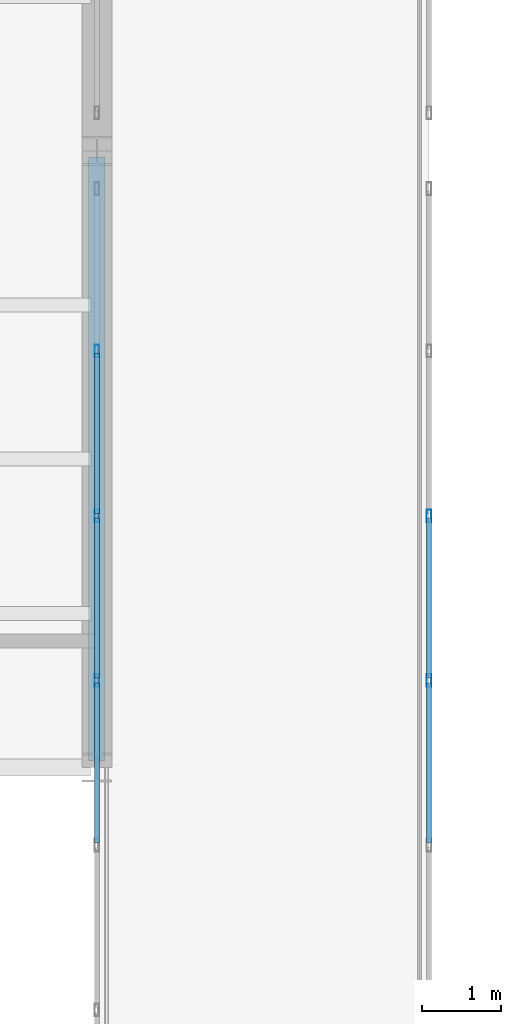
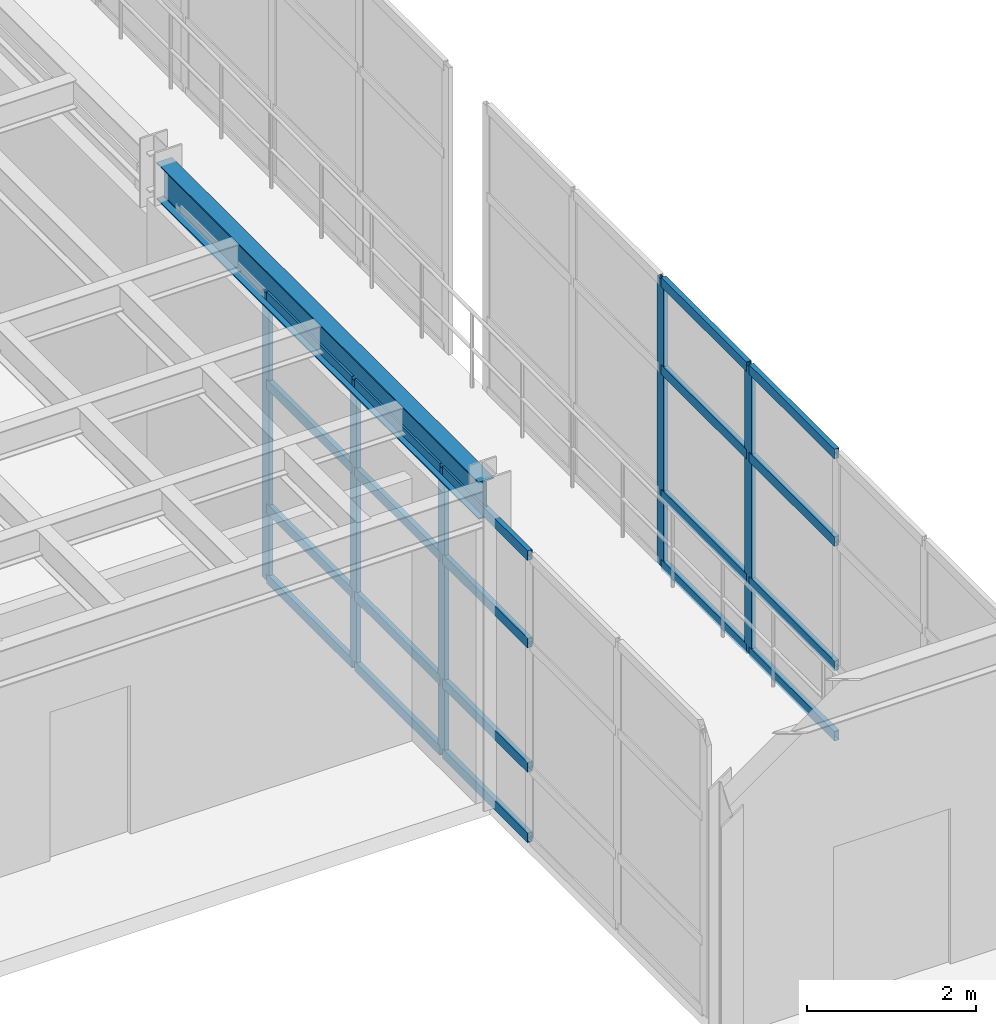
# One storey, part 44 of 116: 25 members, 1 beam, 2 elements without a shape of their own.
"""IFC4 building model written with IfcOpenShell, lengths in metres."""

from ifc_helpers import new_model, si_unit, direction, frame, origin, origin_2d, place, context, subcontext, project, spatial, hollow_rectangle, i_section, extrude, material, layer, layer_set, material_profile, profile_set, type_object, element, aggregate, save


model = new_model("IFC4")

# Units and contexts
model_context = context("Model", 3, precision=1e-05, world=origin(), true_north=direction((0.0, 1.0)))
body_context = subcontext(model_context, "Body", "Model", "MODEL_VIEW")
ifc_project = project(units=[si_unit("LENGTHUNIT", "METRE"), si_unit("AREAUNIT", "SQUARE_METRE"), si_unit("VOLUMEUNIT", "CUBIC_METRE"), si_unit("PLANEANGLEUNIT", "RADIAN"), si_unit("MASSUNIT", "GRAM", prefix="KILO")], contexts=[model_context])

# Site, building, storey
site_placement = place(None, origin())
site = spatial("IfcSite", under=ifc_project, at=site_placement, CompositionType="ELEMENT")
building_placement = place(site_placement, origin())
building = spatial("IfcBuilding", under=site, at=building_placement, Name="Selat Folded Stagehouse", CompositionType="ELEMENT")
storey_placement = place(building_placement, frame((0.0, 0.0, 5.39990234375)))
storey = spatial("IfcBuildingStorey", under=building, at=storey_placement, Name="L01", CompositionType="ELEMENT", Elevation=5.39990234375)

# Beam
ifc_material_1 = material(Name="Steel S355", Category="steel")
ifc_material_profile_1 = material_profile(ifc_material_1, i_section(OverallWidth=0.210693359375, OverallDepth=0.53955078125, WebThickness=0.01171875, FlangeThickness=0.018798828125, FilletRadius=0.0126953125, at=origin_2d()), Name="UKB 533x210x109")
ifc_profile_set_1 = profile_set([ifc_material_profile_1], Name="Steel S355")
beam_type = type_object("IfcBeamType", Name="BM-GIRD-533x210x109", PredefinedType="BEAM", material=ifc_profile_set_1)
beam_placement = place(storey_placement, frame((67.199951171875, 23.47998046875, 4.310302734375), z_axis=(0.0, 1.0, 0.0), x_axis=(-1.0, 0.0, 0.0)))
element("IfcBeam", 1, at=beam_placement, inside=storey, type_object=beam_type, Name="L01 primary y-girder 0824", PredefinedType="BEAM", context=body_context, shape_type="SweptSolid", body=[
    extrude(i_section(OverallWidth=0.210693359375, OverallDepth=0.53955078125, WebThickness=0.01171875, FlangeThickness=0.018798828125, FilletRadius=0.0126953125, at=origin_2d()), origin(), (0.0, 0.0, 1.0), 7.64013671875),
])

# Curtain wall, members
ifc_material_2 = material(Name="Aluminium 6063-T6", Category="aluminium")
ifc_layer = layer(ifc_material_2, 0.175048828125)
ifc_layer_set = layer_set([ifc_layer], Name="Aluminium 6063-T6")
curtain_wall_type = type_object("IfcCurtainWallType", Name="CW-BRG-GLAZ", PredefinedType="NOTDEFINED", material=ifc_layer_set)
curtain_wall_1_placement = place(storey_placement, origin())
curtain_wall_1 = element("IfcCurtainWall", 2, at=curtain_wall_1_placement, inside=storey, type_object=curtain_wall_type, Name="L01 curtain wall CW-BRG-01", PredefinedType="NOTDEFINED")
ifc_material_profile_2 = material_profile(ifc_material_2, hollow_rectangle(XDim=0.06005859375, YDim=0.159912109375, WallThickness=0.00390625, at=origin_2d()), Name="ALU 160x60x4.0")
ifc_profile_set_2 = profile_set([ifc_material_profile_2], Name="Aluminium 6063-T6")
member_type_1 = type_object("IfcMemberType", Name="CWM-MUL-160x60", PredefinedType="MULLION", material=ifc_profile_set_2)
member_1_placement = place(storey_placement, frame((67.199951171875, 24.5, 0.0), z_axis=(0.0, 0.0, 1.0), x_axis=(-1.0, 0.0, 0.0)))
member_1 = element("IfcMember", 3, at=member_1_placement, type_object=member_type_1, Name="CW-07 mullion 4", PredefinedType="MULLION", context=body_context, shape_type="SweptSolid", body=[
    extrude(hollow_rectangle(XDim=0.06005859375, YDim=0.159912109375, WallThickness=0.00390625, at=origin_2d()), origin(), (0.0, 0.0, 1.0), 4.150146484375),
])
member_2_placement = place(storey_placement, frame((67.199951171875, 26.583251953125, 0.0), z_axis=(0.0, 0.0, 1.0), x_axis=(-1.0, 0.0, 0.0)))
member_2 = element("IfcMember", 4, at=member_2_placement, type_object=member_type_1, Name="CW-07 mullion 5", PredefinedType="MULLION", context=body_context, shape_type="SweptSolid", body=[
    extrude(hollow_rectangle(XDim=0.06005859375, YDim=0.159912109375, WallThickness=0.00390625, at=origin_2d()), origin(), (0.0, 0.0, 1.0), 4.150146484375),
])
member_3_placement = place(storey_placement, frame((67.199951171875, 28.666748046875, 0.0), z_axis=(0.0, 0.0, 1.0), x_axis=(-1.0, 0.0, 0.0)))
member_3 = element("IfcMember", 5, at=member_3_placement, type_object=member_type_1, Name="CW-07 mullion 6", PredefinedType="MULLION", context=body_context, shape_type="SweptSolid", body=[
    extrude(hollow_rectangle(XDim=0.06005859375, YDim=0.159912109375, WallThickness=0.00390625, at=origin_2d()), origin(), (0.0, 0.0, 1.0), 4.150146484375),
])

curtain_wall_2_placement = place(storey_placement, origin())
curtain_wall_2 = element("IfcCurtainWall", 6, at=curtain_wall_2_placement, inside=storey, type_object=curtain_wall_type, Name="L01 curtain wall CW-BRG-06", PredefinedType="NOTDEFINED")
member_4_placement = place(storey_placement, frame((71.39990234375, 26.583251953125, 0.0), z_axis=(0.0, 0.0, 1.0), x_axis=(1.0, 0.0, 0.0)))
member_4 = element("IfcMember", 7, at=member_4_placement, type_object=member_type_1, Name="CW-07 mullion 3", PredefinedType="MULLION", context=body_context, shape_type="SweptSolid", body=[
    extrude(hollow_rectangle(XDim=0.06005859375, YDim=0.159912109375, WallThickness=0.00390625, at=origin_2d()), origin(), (0.0, 0.0, 1.0), 4.150146484375),
])
member_5_placement = place(storey_placement, frame((71.39990234375, 24.5, 0.0), z_axis=(0.0, 0.0, 1.0), x_axis=(1.0, 0.0, 0.0)))
member_5 = element("IfcMember", 8, at=member_5_placement, type_object=member_type_1, Name="CW-07 mullion 4", PredefinedType="MULLION", context=body_context, shape_type="SweptSolid", body=[
    extrude(hollow_rectangle(XDim=0.06005859375, YDim=0.159912109375, WallThickness=0.00390625, at=origin_2d()), origin(), (0.0, 0.0, 1.0), 4.150146484375),
])

# Member
ifc_material_profile_3 = material_profile(ifc_material_2, hollow_rectangle(XDim=0.06494140625, YDim=0.139892578125, WallThickness=0.00390625, at=origin_2d()), Name="ALU 140x65x4.0")
ifc_profile_set_3 = profile_set([ifc_material_profile_3], Name="Aluminium 6063-T6")
member_type_2 = type_object("IfcMemberType", Name="CWM-TRN-140x65", PredefinedType="USERDEFINED", material=ifc_profile_set_3)
member_6_placement = place(storey_placement, frame((67.199951171875, 22.44677734375, 0.03271484375), z_axis=(0.0, 1.0, 0.0), x_axis=(-1.0, 0.0, 0.0)))
member_6 = element("IfcMember", 9, at=member_6_placement, type_object=member_type_2, Name="CW-07 transom 3.1", ObjectType="TRANSOM", PredefinedType="USERDEFINED", context=body_context, shape_type="SweptSolid", body=[
    extrude(hollow_rectangle(XDim=0.06494140625, YDim=0.139892578125, WallThickness=0.00390625, at=origin_2d()), origin(), (0.0, 0.0, 1.0), 2.023193359375),
])

member_7_placement = place(storey_placement, frame((67.199951171875, 22.44677734375, 1.050048828125), z_axis=(0.0, 1.0, 0.0), x_axis=(-1.0, 0.0, 0.0)))
member_7 = element("IfcMember", 10, at=member_7_placement, type_object=member_type_2, Name="CW-07 transom 3.2", ObjectType="TRANSOM", PredefinedType="USERDEFINED", context=body_context, shape_type="SweptSolid", body=[
    extrude(hollow_rectangle(XDim=0.06494140625, YDim=0.139892578125, WallThickness=0.00390625, at=origin_2d()), origin(), (0.0, 0.0, 1.0), 2.023193359375),
])

member_8_placement = place(storey_placement, frame((67.199951171875, 22.44677734375, 2.85009765625), z_axis=(0.0, 1.0, 0.0), x_axis=(-1.0, 0.0, 0.0)))
member_8 = element("IfcMember", 11, at=member_8_placement, type_object=member_type_2, Name="CW-07 transom 3.3", ObjectType="TRANSOM", PredefinedType="USERDEFINED", context=body_context, shape_type="SweptSolid", body=[
    extrude(hollow_rectangle(XDim=0.06494140625, YDim=0.139892578125, WallThickness=0.00390625, at=origin_2d()), origin(), (0.0, 0.0, 1.0), 2.023193359375),
])

member_9_placement = place(storey_placement, frame((67.199951171875, 22.44677734375, 4.11767578125), z_axis=(0.0, 1.0, 0.0), x_axis=(-1.0, 0.0, 0.0)))
member_9 = element("IfcMember", 12, at=member_9_placement, type_object=member_type_2, Name="CW-07 transom 3.4", ObjectType="TRANSOM", PredefinedType="USERDEFINED", context=body_context, shape_type="SweptSolid", body=[
    extrude(hollow_rectangle(XDim=0.06494140625, YDim=0.139892578125, WallThickness=0.00390625, at=origin_2d()), origin(), (0.0, 0.0, 1.0), 2.023193359375),
])

member_10_placement = place(storey_placement, frame((67.199951171875, 24.530029296875, 0.03271484375), z_axis=(0.0, 1.0, 0.0), x_axis=(-1.0, 0.0, 0.0)))
member_10 = element("IfcMember", 13, at=member_10_placement, type_object=member_type_2, Name="CW-07 transom 4.1", ObjectType="TRANSOM", PredefinedType="USERDEFINED", context=body_context, shape_type="SweptSolid", body=[
    extrude(hollow_rectangle(XDim=0.06494140625, YDim=0.139892578125, WallThickness=0.00390625, at=origin_2d()), origin(), (0.0, 0.0, 1.0), 2.023193359375),
])

member_11_placement = place(storey_placement, frame((67.199951171875, 24.530029296875, 1.050048828125), z_axis=(0.0, 1.0, 0.0), x_axis=(-1.0, 0.0, 0.0)))
member_11 = element("IfcMember", 14, at=member_11_placement, type_object=member_type_2, Name="CW-07 transom 4.2", ObjectType="TRANSOM", PredefinedType="USERDEFINED", context=body_context, shape_type="SweptSolid", body=[
    extrude(hollow_rectangle(XDim=0.06494140625, YDim=0.139892578125, WallThickness=0.00390625, at=origin_2d()), origin(), (0.0, 0.0, 1.0), 2.023193359375),
])

member_12_placement = place(storey_placement, frame((67.199951171875, 24.530029296875, 2.85009765625), z_axis=(0.0, 1.0, 0.0), x_axis=(-1.0, 0.0, 0.0)))
member_12 = element("IfcMember", 15, at=member_12_placement, type_object=member_type_2, Name="CW-07 transom 4.3", ObjectType="TRANSOM", PredefinedType="USERDEFINED", context=body_context, shape_type="SweptSolid", body=[
    extrude(hollow_rectangle(XDim=0.06494140625, YDim=0.139892578125, WallThickness=0.00390625, at=origin_2d()), origin(), (0.0, 0.0, 1.0), 2.023193359375),
])

member_13_placement = place(storey_placement, frame((67.199951171875, 24.530029296875, 4.11767578125), z_axis=(0.0, 1.0, 0.0), x_axis=(-1.0, 0.0, 0.0)))
member_13 = element("IfcMember", 16, at=member_13_placement, type_object=member_type_2, Name="CW-07 transom 4.4", ObjectType="TRANSOM", PredefinedType="USERDEFINED", context=body_context, shape_type="SweptSolid", body=[
    extrude(hollow_rectangle(XDim=0.06494140625, YDim=0.139892578125, WallThickness=0.00390625, at=origin_2d()), origin(), (0.0, 0.0, 1.0), 2.023193359375),
])

member_14_placement = place(storey_placement, frame((67.199951171875, 26.61328125, 0.03271484375), z_axis=(0.0, 1.0, 0.0), x_axis=(-1.0, 0.0, 0.0)))
member_14 = element("IfcMember", 17, at=member_14_placement, type_object=member_type_2, Name="CW-07 transom 5.1", ObjectType="TRANSOM", PredefinedType="USERDEFINED", context=body_context, shape_type="SweptSolid", body=[
    extrude(hollow_rectangle(XDim=0.06494140625, YDim=0.139892578125, WallThickness=0.00390625, at=origin_2d()), origin(), (0.0, 0.0, 1.0), 2.0234375),
])

member_15_placement = place(storey_placement, frame((67.199951171875, 26.61328125, 1.050048828125), z_axis=(0.0, 1.0, 0.0), x_axis=(-1.0, 0.0, 0.0)))
member_15 = element("IfcMember", 18, at=member_15_placement, type_object=member_type_2, Name="CW-07 transom 5.2", ObjectType="TRANSOM", PredefinedType="USERDEFINED", context=body_context, shape_type="SweptSolid", body=[
    extrude(hollow_rectangle(XDim=0.06494140625, YDim=0.139892578125, WallThickness=0.00390625, at=origin_2d()), origin(), (0.0, 0.0, 1.0), 2.0234375),
])

member_16_placement = place(storey_placement, frame((67.199951171875, 26.61328125, 2.85009765625), z_axis=(0.0, 1.0, 0.0), x_axis=(-1.0, 0.0, 0.0)))
member_16 = element("IfcMember", 19, at=member_16_placement, type_object=member_type_2, Name="CW-07 transom 5.3", ObjectType="TRANSOM", PredefinedType="USERDEFINED", context=body_context, shape_type="SweptSolid", body=[
    extrude(hollow_rectangle(XDim=0.06494140625, YDim=0.139892578125, WallThickness=0.00390625, at=origin_2d()), origin(), (0.0, 0.0, 1.0), 2.0234375),
])

member_17_placement = place(storey_placement, frame((67.199951171875, 26.61328125, 4.11767578125), z_axis=(0.0, 1.0, 0.0), x_axis=(-1.0, 0.0, 0.0)))
member_17 = element("IfcMember", 20, at=member_17_placement, type_object=member_type_2, Name="CW-07 transom 5.4", ObjectType="TRANSOM", PredefinedType="USERDEFINED", context=body_context, shape_type="SweptSolid", body=[
    extrude(hollow_rectangle(XDim=0.06494140625, YDim=0.139892578125, WallThickness=0.00390625, at=origin_2d()), origin(), (0.0, 0.0, 1.0), 2.0234375),
])

aggregate(curtain_wall_1, [member_1, member_2, member_3, member_6, member_7, member_8, member_9, member_10, member_11, member_12, member_13, member_14, member_15, member_16, member_17])

member_18_placement = place(storey_placement, frame((71.39990234375, 26.55322265625, 0.03271484375), z_axis=(0.0, -1.0, 0.0), x_axis=(1.0, 0.0, 0.0)))
member_18 = element("IfcMember", 21, at=member_18_placement, type_object=member_type_2, Name="CW-07 transom 3.1", ObjectType="TRANSOM", PredefinedType="USERDEFINED", context=body_context, shape_type="SweptSolid", body=[
    extrude(hollow_rectangle(XDim=0.06494140625, YDim=0.139892578125, WallThickness=0.00390625, at=origin_2d()), origin(), (0.0, 0.0, 1.0), 2.023193359375),
])

member_19_placement = place(storey_placement, frame((71.39990234375, 26.55322265625, 1.050048828125), z_axis=(0.0, -1.0, 0.0), x_axis=(1.0, 0.0, 0.0)))
member_19 = element("IfcMember", 22, at=member_19_placement, type_object=member_type_2, Name="CW-07 transom 3.2", ObjectType="TRANSOM", PredefinedType="USERDEFINED", context=body_context, shape_type="SweptSolid", body=[
    extrude(hollow_rectangle(XDim=0.06494140625, YDim=0.139892578125, WallThickness=0.00390625, at=origin_2d()), origin(), (0.0, 0.0, 1.0), 2.023193359375),
])

member_20_placement = place(storey_placement, frame((71.39990234375, 26.55322265625, 2.85009765625), z_axis=(0.0, -1.0, 0.0), x_axis=(1.0, 0.0, 0.0)))
member_20 = element("IfcMember", 23, at=member_20_placement, type_object=member_type_2, Name="CW-07 transom 3.3", ObjectType="TRANSOM", PredefinedType="USERDEFINED", context=body_context, shape_type="SweptSolid", body=[
    extrude(hollow_rectangle(XDim=0.06494140625, YDim=0.139892578125, WallThickness=0.00390625, at=origin_2d()), origin(), (0.0, 0.0, 1.0), 2.023193359375),
])

member_21_placement = place(storey_placement, frame((71.39990234375, 26.55322265625, 4.11767578125), z_axis=(0.0, -1.0, 0.0), x_axis=(1.0, 0.0, 0.0)))
member_21 = element("IfcMember", 24, at=member_21_placement, type_object=member_type_2, Name="CW-07 transom 3.4", ObjectType="TRANSOM", PredefinedType="USERDEFINED", context=body_context, shape_type="SweptSolid", body=[
    extrude(hollow_rectangle(XDim=0.06494140625, YDim=0.139892578125, WallThickness=0.00390625, at=origin_2d()), origin(), (0.0, 0.0, 1.0), 2.023193359375),
])

member_22_placement = place(storey_placement, frame((71.39990234375, 24.469970703125, 0.03271484375), z_axis=(0.0, -1.0, 0.0), x_axis=(1.0, 0.0, 0.0)))
member_22 = element("IfcMember", 25, at=member_22_placement, type_object=member_type_2, Name="CW-07 transom 4.1", ObjectType="TRANSOM", PredefinedType="USERDEFINED", context=body_context, shape_type="SweptSolid", body=[
    extrude(hollow_rectangle(XDim=0.06494140625, YDim=0.139892578125, WallThickness=0.00390625, at=origin_2d()), origin(), (0.0, 0.0, 1.0), 2.023193359375),
])

member_23_placement = place(storey_placement, frame((71.39990234375, 24.469970703125, 1.050048828125), z_axis=(0.0, -1.0, 0.0), x_axis=(1.0, 0.0, 0.0)))
member_23 = element("IfcMember", 26, at=member_23_placement, type_object=member_type_2, Name="CW-07 transom 4.2", ObjectType="TRANSOM", PredefinedType="USERDEFINED", context=body_context, shape_type="SweptSolid", body=[
    extrude(hollow_rectangle(XDim=0.06494140625, YDim=0.139892578125, WallThickness=0.00390625, at=origin_2d()), origin(), (0.0, 0.0, 1.0), 2.023193359375),
])

member_24_placement = place(storey_placement, frame((71.39990234375, 24.469970703125, 2.85009765625), z_axis=(0.0, -1.0, 0.0), x_axis=(1.0, 0.0, 0.0)))
member_24 = element("IfcMember", 27, at=member_24_placement, type_object=member_type_2, Name="CW-07 transom 4.3", ObjectType="TRANSOM", PredefinedType="USERDEFINED", context=body_context, shape_type="SweptSolid", body=[
    extrude(hollow_rectangle(XDim=0.06494140625, YDim=0.139892578125, WallThickness=0.00390625, at=origin_2d()), origin(), (0.0, 0.0, 1.0), 2.023193359375),
])

member_25_placement = place(storey_placement, frame((71.39990234375, 24.469970703125, 4.11767578125), z_axis=(0.0, -1.0, 0.0), x_axis=(1.0, 0.0, 0.0)))
member_25 = element("IfcMember", 28, at=member_25_placement, type_object=member_type_2, Name="CW-07 transom 4.4", ObjectType="TRANSOM", PredefinedType="USERDEFINED", context=body_context, shape_type="SweptSolid", body=[
    extrude(hollow_rectangle(XDim=0.06494140625, YDim=0.139892578125, WallThickness=0.00390625, at=origin_2d()), origin(), (0.0, 0.0, 1.0), 2.023193359375),
])

aggregate(curtain_wall_2, [member_4, member_5, member_18, member_19, member_20, member_21, member_22, member_23, member_24, member_25])

save(model, "model.ifc")
